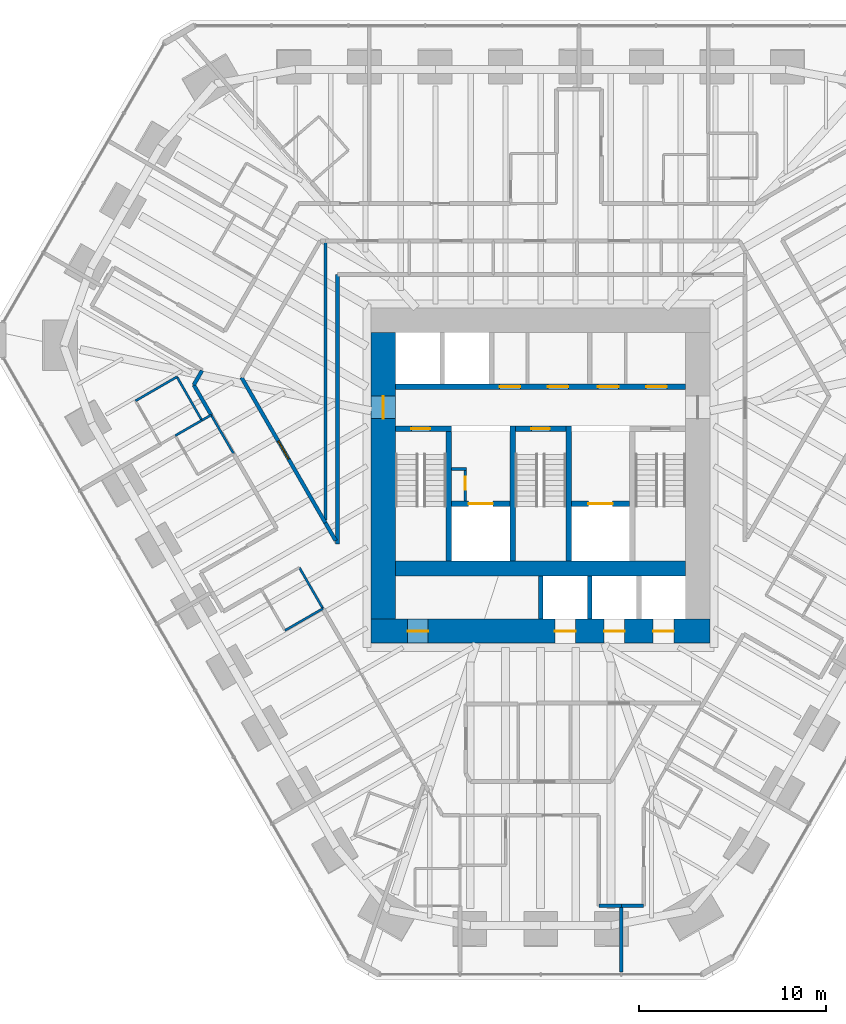
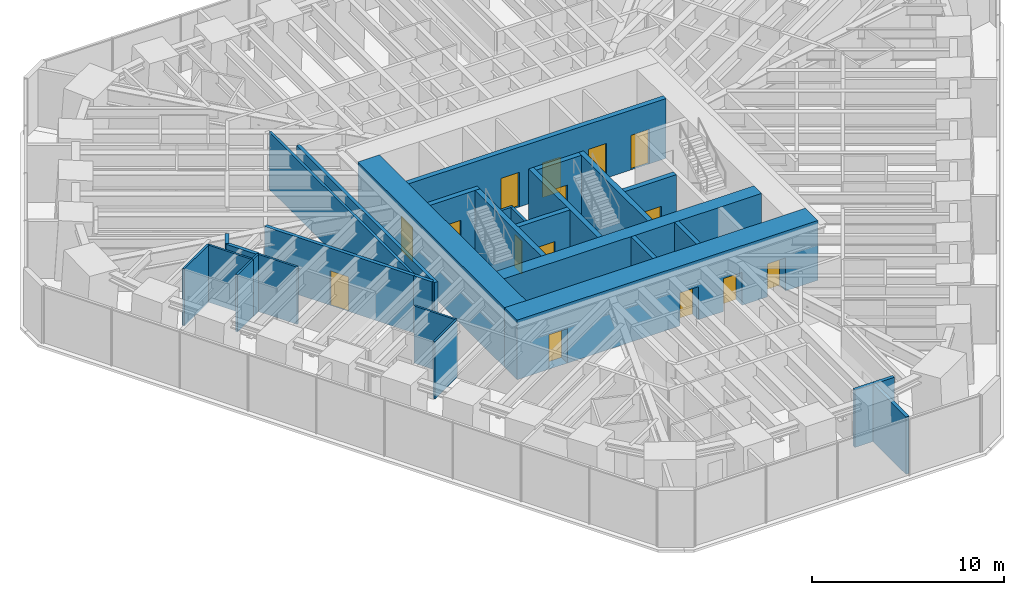
# One storey, part 12 of 17: 31 walls, 15 doors, 15 openings.
"""IFC4 building model written with IfcOpenShell, lengths in metres."""

from ifc_helpers import new_model, si_unit, direction, frame, frame_2d, origin, place, context, subcontext, project, spatial, rectangle, extrude, material, layer, layer_set, type_object, element, fill, save


model = new_model("IFC4")

# Units and contexts
model_context = context("Model", 3, precision=1e-05, world=origin(), true_north=direction((0.0, 1.0)))
body_context = subcontext(model_context, "Body", "Model", "MODEL_VIEW")
ifc_project = project(units=[si_unit("LENGTHUNIT", "METRE"), si_unit("AREAUNIT", "SQUARE_METRE"), si_unit("VOLUMEUNIT", "CUBIC_METRE"), si_unit("PLANEANGLEUNIT", "RADIAN"), si_unit("MASSUNIT", "GRAM", prefix="KILO")], contexts=[model_context])

# Site, building, storey
site_placement = place(None, origin())
site = spatial("IfcSite", under=ifc_project, at=site_placement, CompositionType="ELEMENT")
building_placement = place(site_placement, origin())
building = spatial("IfcBuilding", under=site, at=building_placement, Name="Sandreach Pilgrim Tower", CompositionType="ELEMENT")
storey_placement = place(building_placement, frame((0.0, 0.0, 169.0)))
storey = spatial("IfcBuildingStorey", under=building, at=storey_placement, Name="L42", CompositionType="ELEMENT", Elevation=169.0)

# Walls
ifc_material_1 = material(Name="Gypsum board on steel studs", Category="steel")
ifc_layer_1 = layer(ifc_material_1, 0.14990234375)
ifc_layer_set_1 = layer_set([ifc_layer_1], Name="Back of house wall 150")
wall_type_1 = type_object("IfcWallType", Name="Back of house wall 150", PredefinedType="PARTITIONING", material=ifc_layer_set_1)
wall_1_placement = place(storey_placement, frame((-11.5, 10.989990234375, 0.0), z_axis=(0.0, 0.0, 1.0), x_axis=(0.0, -1.0, 0.0)))
element("IfcWall", 1, at=wall_1_placement, inside=storey, type_object=wall_type_1, Name="Back of house wall L42-050", PredefinedType="PARTITIONING", context=body_context, shape_type="SweptSolid", body=[
    extrude(rectangle(XDim=14.905029296875, YDim=0.14990234375, at=frame_2d((7.45263671875, 0.0))), origin(), (0.0, 0.0, 1.0), 3.639892578125),
])
ifc_material_2 = material(Name="Moisture-resistant gypsum board on steel studs", Category="steel")
ifc_layer_2 = layer(ifc_material_2, 0.1201171875)
ifc_layer_set_2 = layer_set([ifc_layer_2], Name="Bathroom partition 120")
wall_type_2 = type_object("IfcWallType", Name="Bathroom partition 120", PredefinedType="PARTITIONING", material=ifc_layer_set_2)
wall_2_placement = place(storey_placement, frame((-19.52001953125, 0.590087890625, 0.0), z_axis=(0.0, 0.0, 1.0), x_axis=(0.86741733639, 0.49758131449, 0.0)))
element("IfcWall", 2, at=wall_2_placement, inside=storey, type_object=wall_type_2, Name="Bathroom partition L42-011", PredefinedType="PARTITIONING", context=body_context, shape_type="SweptSolid", body=[
    extrude(rectangle(XDim=1.6396484375, YDim=0.1201171875, at=frame_2d((0.81982421875, 0.0))), origin(), (0.0, 0.0, 1.0), 3.639892578125),
])
wall_3_placement = place(storey_placement, frame((-19.429931640625, 3.72998046875, 0.0), z_axis=(0.0, 0.0, 1.0), x_axis=(-0.865328095335, -0.50120583339, 0.0)))
element("IfcWall", 3, at=wall_3_placement, inside=storey, type_object=wall_type_2, Name="Bathroom partition L42-012", PredefinedType="PARTITIONING", context=body_context, shape_type="SweptSolid", body=[
    extrude(rectangle(XDim=2.553955078125, YDim=0.1201171875, at=frame_2d((1.27685546875, 0.0))), origin(), (0.0, 0.0, 1.0), 3.639892578125),
])
wall_4_placement = place(storey_placement, frame((-18.10009765625, 1.409912109375, 0.0), z_axis=(0.0, 0.0, 1.0), x_axis=(-0.497288831399, 0.867585049529, 0.0)))
element("IfcWall", 4, at=wall_4_placement, inside=storey, type_object=wall_type_2, Name="Bathroom partition L42-017", PredefinedType="PARTITIONING", context=body_context, shape_type="SweptSolid", body=[
    extrude(rectangle(XDim=2.674072265625, YDim=0.1201171875, at=frame_2d((1.3369140625, 0.0))), origin(), (0.0, 0.0, 1.0), 3.639892578125),
])
wall_5_placement = place(storey_placement, frame((-18.09765625, 1.406005859375, 0.0), z_axis=(0.0, 0.0, 1.0), x_axis=(0.86863611018, 0.495450611152, 0.0)))
element("IfcWall", 5, at=wall_5_placement, inside=storey, type_object=wall_type_2, Name="Bathroom partition L42-018", PredefinedType="PARTITIONING", context=body_context, shape_type="SweptSolid", body=[
    extrude(rectangle(XDim=0.572998046875, YDim=0.1201171875, at=frame_2d((0.28662109375, 0.0))), origin(), (0.0, 0.0, 1.0), 3.639892578125),
])
wall_6_placement = place(storey_placement, frame((-17.60009765625, 1.68994140625, 0.0), z_axis=(0.0, 0.0, 1.0), x_axis=(0.501623408317, -0.865086097581, 0.0)))
element("IfcWall", 6, at=wall_6_placement, inside=storey, type_object=wall_type_2, Name="Bathroom partition L42-020", PredefinedType="PARTITIONING", context=body_context, shape_type="SweptSolid", body=[
    extrude(rectangle(XDim=2.392578125, YDim=0.1201171875, at=frame_2d((1.1962890625, 0.0))), origin(), (0.0, 0.0, 1.0), 3.639892578125),
])
wall_7_placement = place(storey_placement, frame((-13.659912109375, -9.820068359375, 0.0), z_axis=(0.0, 0.0, 1.0), x_axis=(0.866345142729, 0.499445786517, 0.0)))
element("IfcWall", 7, at=wall_7_placement, inside=storey, type_object=wall_type_2, Name="Bathroom partition L42-041", PredefinedType="PARTITIONING", context=body_context, shape_type="SweptSolid", body=[
    extrude(rectangle(XDim=2.343017578125, YDim=0.1201171875, at=frame_2d((1.17138671875, 0.0))), origin(), (0.0, 0.0, 1.0), 3.639892578125),
])
wall_8_placement = place(storey_placement, frame((-12.889892578125, -6.4599609375, 0.0), z_axis=(0.0, 0.0, 1.0), x_axis=(0.498707120669, -0.866770562372, 0.0)))
element("IfcWall", 8, at=wall_8_placement, inside=storey, type_object=wall_type_2, Name="Bathroom partition L42-043", PredefinedType="PARTITIONING", context=body_context, shape_type="SweptSolid", body=[
    extrude(rectangle(XDim=2.526611328125, YDim=0.1201171875, at=frame_2d((1.26318359375, 0.0))), origin(), (0.0, 0.0, 1.0), 3.639892578125),
])
ifc_material_3 = material(Name="Concrete 10000 psi", Category="concrete")
ifc_layer_3 = layer(ifc_material_3, 0.300048828125)
ifc_layer_set_3 = layer_set([ifc_layer_3], Name="Core inner wall 300")
wall_type_3 = type_object("IfcWallType", Name="Core inner wall 300", PredefinedType="SHEAR", material=ifc_layer_set_3)
for number, where, z_axis, x_axis, name in (
    (9, (-4.89990234375, -6.10009765625, 0.0), (0.0, 0.0, 1.0), (0.0, 1.0, 0.0), "Core wall I0 L42"),
    (10, (-1.5, -6.10009765625, 0.0), (0.0, 0.0, 1.0), (0.0, 1.0, 0.0), "Core wall I1 L42"),
    (11, (1.5, -6.10009765625, 0.0), (0.0, 0.0, 1.0), (0.0, 1.0, 0.0), "Core wall I2 L42"),
):
    element("IfcWall", number, at=place(storey_placement, frame(where, z_axis=z_axis, x_axis=x_axis)), inside=storey, type_object=wall_type_3, Name=name, PredefinedType="SHEAR", context=body_context, shape_type="SweptSolid", body=[
        extrude(rectangle(XDim=7.2001953125, YDim=0.300048828125, at=frame_2d((3.60009765625, 0.0))), origin(), (0.0, 0.0, 1.0), 3.800048828125),
    ])

# Wall, opening, door
wall_9_placement = place(storey_placement, frame((-7.75, 0.949951171875, 0.0), z_axis=(0.0, 0.0, 1.0), x_axis=(1.0, 0.0, 0.0)))
wall_9 = element("IfcWall", 12, at=wall_9_placement, inside=storey, type_object=wall_type_3, Name="Core wall SN1 L42", PredefinedType="SHEAR", context=body_context, shape_type="SweptSolid", body=[
    extrude(rectangle(XDim=3.0, YDim=0.300048828125, at=frame_2d((1.5, 0.0))), origin(), (0.0, 0.0, 1.0), 3.800048828125),
])
opening_1_placement = place(wall_9_placement, frame((0.85009765625, 0.0, 0.0)))
opening_1 = element("IfcOpeningElement", 13, at=opening_1_placement, cuts=wall_9, Name="Opening D10S-ST1", PredefinedType="OPENING", context=body_context, shape_type="SweptSolid", body=[
    extrude(rectangle(XDim=1.0, YDim=2.199951171875, at=frame_2d((0.5, 1.10009765625))), frame((0.0, 0.14990234375, 0.0), z_axis=(0.0, -1.0, 0.0), x_axis=(1.0, 0.0, 0.0)), (0.0, 0.0, 1.0), 0.300048828125),
])
ifc_material_4 = material(Name="Steel door and frame", Category="steel")
door_type_1 = type_object("IfcDoorType", Name="Stair door", OperationType="SINGLE_SWING_LEFT", PredefinedType="DOOR", material=ifc_material_4)
door_1_placement = place(opening_1_placement, origin())
door_1 = element("IfcDoor", 14, at=door_1_placement, inside=storey, type_object=door_type_1, Name="Stair door ST1 L42", OperationType="SINGLE_SWING_LEFT", OverallHeight=2.199951171875, OverallWidth=1.0, PredefinedType="DOOR", context=body_context, shape_type="SweptSolid", body=[
    extrude(rectangle(XDim=1.0, YDim=2.199951171875, at=frame_2d((0.5, 1.10009765625))), frame((0.0, 0.02490234375, 0.0), z_axis=(0.0, -1.0, 0.0), x_axis=(1.0, 0.0, 0.0)), (0.0, 0.0, 1.0), 0.050048828125),
])
fill(opening_1, door_1)

wall_10_placement = place(storey_placement, frame((-1.35009765625, 0.949951171875, 0.0), z_axis=(0.0, 0.0, 1.0), x_axis=(1.0, 0.0, 0.0)))
wall_10 = element("IfcWall", 15, at=wall_10_placement, inside=storey, type_object=wall_type_3, Name="Core wall SN3 L42", PredefinedType="SHEAR", context=body_context, shape_type="SweptSolid", body=[
    extrude(rectangle(XDim=2.7001953125, YDim=0.300048828125, at=frame_2d((1.35009765625, 0.0))), origin(), (0.0, 0.0, 1.0), 3.800048828125),
])
opening_2_placement = place(wall_10_placement, frame((0.85009765625, 0.0, 0.0)))
opening_2 = element("IfcOpeningElement", 16, at=opening_2_placement, cuts=wall_10, Name="Opening D10S-ST3", PredefinedType="OPENING", context=body_context, shape_type="SweptSolid", body=[
    extrude(rectangle(XDim=1.0, YDim=2.199951171875, at=frame_2d((0.5, 1.10009765625))), frame((0.0, 0.14990234375, 0.0), z_axis=(0.0, -1.0, 0.0), x_axis=(1.0, 0.0, 0.0)), (0.0, 0.0, 1.0), 0.300048828125),
])
door_2_placement = place(opening_2_placement, origin())
door_2 = element("IfcDoor", 17, at=door_2_placement, inside=storey, type_object=door_type_1, Name="Stair door ST3 L42", OperationType="SINGLE_SWING_LEFT", OverallHeight=2.199951171875, OverallWidth=1.0, PredefinedType="DOOR", context=body_context, shape_type="SweptSolid", body=[
    extrude(rectangle(XDim=1.0, YDim=2.199951171875, at=frame_2d((0.5, 1.10009765625))), frame((0.0, 0.02490234375, 0.0), z_axis=(0.0, -1.0, 0.0), x_axis=(1.0, 0.0, 0.0)), (0.0, 0.0, 1.0), 0.050048828125),
])
fill(opening_2, door_2)

wall_11_placement = place(storey_placement, frame((-4.75, -3.050048828125, 0.0), z_axis=(0.0, 0.0, 1.0), x_axis=(1.0, 0.0, 0.0)))
wall_11 = element("IfcWall", 18, at=wall_11_placement, inside=storey, type_object=wall_type_3, Name="Core wall FL1 L42", PredefinedType="SHEAR", context=body_context, shape_type="SweptSolid", body=[
    extrude(rectangle(XDim=3.10009765625, YDim=0.300048828125, at=frame_2d((1.550048828125, 0.0))), origin(), (0.0, 0.0, 1.0), 3.800048828125),
])
opening_3_placement = place(wall_11_placement, frame((0.89990234375, 0.0, 0.0)))
opening_3 = element("IfcOpeningElement", 19, at=opening_3_placement, cuts=wall_11, Name="Opening LD13", PredefinedType="OPENING", context=body_context, shape_type="SweptSolid", body=[
    extrude(rectangle(XDim=1.300048828125, YDim=2.10009765625, at=frame_2d((0.64990234375, 1.050048828125))), frame((0.0, 0.14990234375, 0.0), z_axis=(0.0, -1.0, 0.0), x_axis=(1.0, 0.0, 0.0)), (0.0, 0.0, 1.0), 0.300048828125),
])
ifc_material_5 = material(Name="Steel door and frame", Category="steel")
door_type_2 = type_object("IfcDoorType", Name="Fire service lift landing door", OperationType="DOUBLE_DOOR_SLIDING", PredefinedType="DOOR", material=ifc_material_5)
door_3_placement = place(opening_3_placement, origin())
door_3 = element("IfcDoor", 20, at=door_3_placement, inside=storey, type_object=door_type_2, Name="Lift landing door FS1 L42", OperationType="DOUBLE_DOOR_SLIDING", OverallHeight=2.10009765625, OverallWidth=1.300048828125, PredefinedType="DOOR", context=body_context, shape_type="SweptSolid", body=[
    extrude(rectangle(XDim=1.300048828125, YDim=2.10009765625, at=frame_2d((0.64990234375, 1.050048828125))), frame((0.0, 0.02490234375, 0.0), z_axis=(0.0, -1.0, 0.0), x_axis=(1.0, 0.0, 0.0)), (0.0, 0.0, 1.0), 0.050048828125),
])
fill(opening_3, door_3)

wall_12_placement = place(storey_placement, frame((1.64990234375, -3.050048828125, 0.0), z_axis=(0.0, 0.0, 1.0), x_axis=(1.0, 0.0, 0.0)))
wall_12 = element("IfcWall", 21, at=wall_12_placement, inside=storey, type_object=wall_type_3, Name="Core wall FL2 L42", PredefinedType="SHEAR", context=body_context, shape_type="SweptSolid", body=[
    extrude(rectangle(XDim=3.10009765625, YDim=0.300048828125, at=frame_2d((1.550048828125, 0.0))), origin(), (0.0, 0.0, 1.0), 3.800048828125),
])
opening_4_placement = place(wall_12_placement, frame((0.89990234375, 0.0, 0.0)))
opening_4 = element("IfcOpeningElement", 22, at=opening_4_placement, cuts=wall_12, Name="Opening LD13", PredefinedType="OPENING", context=body_context, shape_type="SweptSolid", body=[
    extrude(rectangle(XDim=1.300048828125, YDim=2.10009765625, at=frame_2d((0.64990234375, 1.050048828125))), frame((0.0, 0.14990234375, 0.0), z_axis=(0.0, -1.0, 0.0), x_axis=(1.0, 0.0, 0.0)), (0.0, 0.0, 1.0), 0.300048828125),
])
door_4_placement = place(opening_4_placement, origin())
door_4 = element("IfcDoor", 23, at=door_4_placement, inside=storey, type_object=door_type_2, Name="Lift landing door FS2 L42", OperationType="DOUBLE_DOOR_SLIDING", OverallHeight=2.10009765625, OverallWidth=1.300048828125, PredefinedType="DOOR", context=body_context, shape_type="SweptSolid", body=[
    extrude(rectangle(XDim=1.300048828125, YDim=2.10009765625, at=frame_2d((0.64990234375, 1.050048828125))), frame((0.0, 0.02490234375, 0.0), z_axis=(0.0, -1.0, 0.0), x_axis=(1.0, 0.0, 0.0)), (0.0, 0.0, 1.0), 0.050048828125),
])
fill(opening_4, door_4)

# Wall, openings, doors
wall_13_placement = place(storey_placement, frame((-7.75, 3.199951171875, 0.0), z_axis=(0.0, 0.0, 1.0), x_axis=(1.0, 0.0, 0.0)))
wall_13 = element("IfcWall", 24, at=wall_13_placement, inside=storey, type_object=wall_type_3, Name="Core wall PN L42", PredefinedType="SHEAR", context=body_context, shape_type="SweptSolid", body=[
    extrude(rectangle(XDim=15.5, YDim=0.300048828125, at=frame_2d((7.75, 0.0))), origin(), (0.0, 0.0, 1.0), 3.800048828125),
])
opening_5_placement = place(wall_13_placement, frame((5.5625, 0.0, 0.0)))
opening_5 = element("IfcOpeningElement", 25, at=opening_5_placement, cuts=wall_13, Name="Opening D11L", PredefinedType="OPENING", context=body_context, shape_type="SweptSolid", body=[
    extrude(rectangle(XDim=1.10009765625, YDim=2.199951171875, at=frame_2d((0.550048828125, 1.10009765625))), frame((0.0, 0.14990234375, 0.0), z_axis=(0.0, -1.0, 0.0), x_axis=(1.0, 0.0, 0.0)), (0.0, 0.0, 1.0), 0.300048828125),
])
opening_6_placement = place(wall_13_placement, frame((8.137451171875, 0.0, 0.0)))
opening_6 = element("IfcOpeningElement", 26, at=opening_6_placement, cuts=wall_13, Name="Opening D11L", PredefinedType="OPENING", context=body_context, shape_type="SweptSolid", body=[
    extrude(rectangle(XDim=1.10009765625, YDim=2.199951171875, at=frame_2d((0.550048828125, 1.10009765625))), frame((0.0, 0.14990234375, 0.0), z_axis=(0.0, -1.0, 0.0), x_axis=(1.0, 0.0, 0.0)), (0.0, 0.0, 1.0), 0.300048828125),
])
opening_7_placement = place(wall_13_placement, frame((10.8125, 0.0, 0.0)))
opening_7 = element("IfcOpeningElement", 27, at=opening_7_placement, cuts=wall_13, Name="Opening D11L", PredefinedType="OPENING", context=body_context, shape_type="SweptSolid", body=[
    extrude(rectangle(XDim=1.10009765625, YDim=2.199951171875, at=frame_2d((0.550048828125, 1.10009765625))), frame((0.0, 0.14990234375, 0.0), z_axis=(0.0, -1.0, 0.0), x_axis=(1.0, 0.0, 0.0)), (0.0, 0.0, 1.0), 0.300048828125),
])
opening_8_placement = place(wall_13_placement, frame((13.387451171875, 0.0, 0.0)))
opening_8 = element("IfcOpeningElement", 28, at=opening_8_placement, cuts=wall_13, Name="Opening D11L", PredefinedType="OPENING", context=body_context, shape_type="SweptSolid", body=[
    extrude(rectangle(XDim=1.10009765625, YDim=2.199951171875, at=frame_2d((0.550048828125, 1.10009765625))), frame((0.0, 0.14990234375, 0.0), z_axis=(0.0, -1.0, 0.0), x_axis=(1.0, 0.0, 0.0)), (0.0, 0.0, 1.0), 0.300048828125),
])
ifc_material_6 = material(Name="Steel door and frame, smoke seals", Category="steel")
door_type_3 = type_object("IfcDoorType", Name="Core room door", OperationType="SINGLE_SWING_LEFT", PredefinedType="DOOR", material=ifc_material_6)
door_5_placement = place(opening_5_placement, origin())
door_5 = element("IfcDoor", 29, at=door_5_placement, inside=storey, type_object=door_type_3, Name="Door guest pantry 42K1", OperationType="SINGLE_SWING_LEFT", OverallHeight=2.199951171875, OverallWidth=1.10009765625, PredefinedType="DOOR", context=body_context, shape_type="SweptSolid", body=[
    extrude(rectangle(XDim=1.10009765625, YDim=2.199951171875, at=frame_2d((0.550048828125, 1.10009765625))), frame((0.0, 0.02490234375, 0.0), z_axis=(0.0, -1.0, 0.0), x_axis=(1.0, 0.0, 0.0)), (0.0, 0.0, 1.0), 0.050048828125),
])
fill(opening_5, door_5)
door_6_placement = place(opening_6_placement, origin())
door_6 = element("IfcDoor", 30, at=door_6_placement, inside=storey, type_object=door_type_3, Name="Door vending and ice room 42K2", OperationType="SINGLE_SWING_RIGHT", OverallHeight=2.199951171875, OverallWidth=1.10009765625, PredefinedType="DOOR", context=body_context, shape_type="SweptSolid", body=[
    extrude(rectangle(XDim=1.10009765625, YDim=2.199951171875, at=frame_2d((0.550048828125, 1.10009765625))), frame((0.0, 0.02490234375, 0.0), z_axis=(0.0, -1.0, 0.0), x_axis=(1.0, 0.0, 0.0)), (0.0, 0.0, 1.0), 0.050048828125),
])
fill(opening_6, door_6)
door_7_placement = place(opening_7_placement, origin())
door_7 = element("IfcDoor", 31, at=door_7_placement, inside=storey, type_object=door_type_3, Name="Door it room 42K3", OperationType="SINGLE_SWING_RIGHT", OverallHeight=2.199951171875, OverallWidth=1.10009765625, PredefinedType="DOOR", context=body_context, shape_type="SweptSolid", body=[
    extrude(rectangle(XDim=1.10009765625, YDim=2.199951171875, at=frame_2d((0.550048828125, 1.10009765625))), frame((0.0, 0.02490234375, 0.0), z_axis=(0.0, -1.0, 0.0), x_axis=(1.0, 0.0, 0.0)), (0.0, 0.0, 1.0), 0.050048828125),
])
fill(opening_7, door_7)
door_8_placement = place(opening_8_placement, origin())
door_8 = element("IfcDoor", 32, at=door_8_placement, inside=storey, type_object=door_type_3, Name="Door refuse room 42K4", OperationType="SINGLE_SWING_RIGHT", OverallHeight=2.199951171875, OverallWidth=1.10009765625, PredefinedType="DOOR", context=body_context, shape_type="SweptSolid", body=[
    extrude(rectangle(XDim=1.10009765625, YDim=2.199951171875, at=frame_2d((0.550048828125, 1.10009765625))), frame((0.0, 0.02490234375, 0.0), z_axis=(0.0, -1.0, 0.0), x_axis=(1.0, 0.0, 0.0)), (0.0, 0.0, 1.0), 0.050048828125),
])
fill(opening_8, door_8)

# Wall
ifc_material_7 = material(Name="Concrete 10000 psi", Category="concrete")
ifc_layer_4 = layer(ifc_material_7, 0.800048828125)
ifc_layer_set_4 = layer_set([ifc_layer_4], Name="Core mid wall 800")
wall_type_4 = type_object("IfcWallType", Name="Core mid wall 800", PredefinedType="SHEAR", material=ifc_layer_set_4)
wall_14_placement = place(storey_placement, frame((-7.75, -6.5, 0.0), z_axis=(0.0, 0.0, 1.0), x_axis=(1.0, 0.0, 0.0)))
element("IfcWall", 33, at=wall_14_placement, inside=storey, type_object=wall_type_4, Name="Core wall M L42", PredefinedType="SHEAR", context=body_context, shape_type="SweptSolid", body=[
    extrude(rectangle(XDim=15.5, YDim=0.800048828125, at=frame_2d((7.75, 0.0))), origin(), (0.0, 0.0, 1.0), 3.800048828125),
])

# Wall, openings, doors
ifc_material_8 = material(Name="Concrete 10000 psi", Category="concrete")
ifc_layer_5 = layer(ifc_material_8, 1.300048828125)
ifc_layer_set_5 = layer_set([ifc_layer_5], Name="Core wall 1300")
wall_type_5 = type_object("IfcWallType", Name="Core wall 1300", PredefinedType="SHEAR", material=ifc_layer_set_5)
wall_15_placement = place(storey_placement, frame((-9.050048828125, -9.85009765625, 0.0), z_axis=(0.0, 0.0, 1.0), x_axis=(1.0, 0.0, 0.0)))
wall_15 = element("IfcWall", 34, at=wall_15_placement, inside=storey, type_object=wall_type_5, Name="Core wall S L42", PredefinedType="SHEAR", context=body_context, shape_type="SweptSolid", body=[
    extrude(rectangle(XDim=18.10009765625, YDim=1.300048828125, at=frame_2d((9.050048828125, 0.0))), origin(), (0.0, 0.0, 1.0), 3.800048828125),
])
opening_9_placement = place(wall_15_placement, frame((1.9375, 0.0, 0.0)))
opening_9 = element("IfcOpeningElement", 35, at=opening_9_placement, cuts=wall_15, Name="Opening D11H", PredefinedType="OPENING", context=body_context, shape_type="SweptSolid", body=[
    extrude(rectangle(XDim=1.10009765625, YDim=2.199951171875, at=frame_2d((0.550048828125, 1.10009765625))), frame((0.0, 0.64990234375, 0.0), z_axis=(0.0, -1.0, 0.0), x_axis=(1.0, 0.0, 0.0)), (0.0, 0.0, 1.0), 1.300048828125),
])
opening_10_placement = place(wall_15_placement, frame((9.8125, 0.0, 0.0)))
opening_10 = element("IfcOpeningElement", 36, at=opening_10_placement, cuts=wall_15, Name="Opening LD11", PredefinedType="OPENING", context=body_context, shape_type="SweptSolid", body=[
    extrude(rectangle(XDim=1.10009765625, YDim=2.10009765625, at=frame_2d((0.550048828125, 1.050048828125))), frame((0.0, 0.64990234375, 0.0), z_axis=(0.0, -1.0, 0.0), x_axis=(1.0, 0.0, 0.0)), (0.0, 0.0, 1.0), 1.300048828125),
])
opening_11_placement = place(wall_15_placement, frame((12.4375, 0.0, 0.0)))
opening_11 = element("IfcOpeningElement", 37, at=opening_11_placement, cuts=wall_15, Name="Opening LD11", PredefinedType="OPENING", context=body_context, shape_type="SweptSolid", body=[
    extrude(rectangle(XDim=1.10009765625, YDim=2.10009765625, at=frame_2d((0.550048828125, 1.050048828125))), frame((0.0, 0.64990234375, 0.0), z_axis=(0.0, -1.0, 0.0), x_axis=(1.0, 0.0, 0.0)), (0.0, 0.0, 1.0), 1.300048828125),
])
opening_12_placement = place(wall_15_placement, frame((15.0625, 0.0, 0.0)))
opening_12 = element("IfcOpeningElement", 38, at=opening_12_placement, cuts=wall_15, Name="Opening LD11", PredefinedType="OPENING", context=body_context, shape_type="SweptSolid", body=[
    extrude(rectangle(XDim=1.10009765625, YDim=2.10009765625, at=frame_2d((0.550048828125, 1.050048828125))), frame((0.0, 0.64990234375, 0.0), z_axis=(0.0, -1.0, 0.0), x_axis=(1.0, 0.0, 0.0)), (0.0, 0.0, 1.0), 1.300048828125),
])
ifc_material_9 = material(Name="Steel door and frame", Category="steel")
door_type_4 = type_object("IfcDoorType", Name="Back of house door", OperationType="SINGLE_SWING_LEFT", PredefinedType="DOOR", material=ifc_material_9)
door_9_placement = place(opening_9_placement, origin())
door_9 = element("IfcDoor", 39, at=door_9_placement, inside=storey, type_object=door_type_4, Name="Door staff room 42K5", OperationType="SINGLE_SWING_LEFT", OverallHeight=2.199951171875, OverallWidth=1.10009765625, PredefinedType="DOOR", context=body_context, shape_type="SweptSolid", body=[
    extrude(rectangle(XDim=1.10009765625, YDim=2.199951171875, at=frame_2d((0.550048828125, 1.10009765625))), frame((0.0, 0.02490234375, 0.0), z_axis=(0.0, -1.0, 0.0), x_axis=(1.0, 0.0, 0.0)), (0.0, 0.0, 1.0), 0.050048828125),
])
fill(opening_9, door_9)
ifc_material_10 = material(Name="Steel door and frame", Category="steel")
door_type_5 = type_object("IfcDoorType", Name="Lift landing door", OperationType="DOUBLE_DOOR_SLIDING", PredefinedType="DOOR", material=ifc_material_10)
door_10_placement = place(opening_10_placement, origin())
door_10 = element("IfcDoor", 40, at=door_10_placement, inside=storey, type_object=door_type_5, Name="Lift landing door Z2A L42", OperationType="DOUBLE_DOOR_SLIDING", OverallHeight=2.10009765625, OverallWidth=1.10009765625, PredefinedType="DOOR", context=body_context, shape_type="SweptSolid", body=[
    extrude(rectangle(XDim=1.10009765625, YDim=2.10009765625, at=frame_2d((0.550048828125, 1.050048828125))), frame((0.0, 0.02490234375, 0.0), z_axis=(0.0, -1.0, 0.0), x_axis=(1.0, 0.0, 0.0)), (0.0, 0.0, 1.0), 0.050048828125),
])
fill(opening_10, door_10)
door_11_placement = place(opening_11_placement, origin())
door_11 = element("IfcDoor", 41, at=door_11_placement, inside=storey, type_object=door_type_5, Name="Lift landing door Z2B L42", OperationType="DOUBLE_DOOR_SLIDING", OverallHeight=2.10009765625, OverallWidth=1.10009765625, PredefinedType="DOOR", context=body_context, shape_type="SweptSolid", body=[
    extrude(rectangle(XDim=1.10009765625, YDim=2.10009765625, at=frame_2d((0.550048828125, 1.050048828125))), frame((0.0, 0.02490234375, 0.0), z_axis=(0.0, -1.0, 0.0), x_axis=(1.0, 0.0, 0.0)), (0.0, 0.0, 1.0), 0.050048828125),
])
fill(opening_11, door_11)
door_12_placement = place(opening_12_placement, origin())
door_12 = element("IfcDoor", 42, at=door_12_placement, inside=storey, type_object=door_type_5, Name="Lift landing door Z2C L42", OperationType="DOUBLE_DOOR_SLIDING", OverallHeight=2.10009765625, OverallWidth=1.10009765625, PredefinedType="DOOR", context=body_context, shape_type="SweptSolid", body=[
    extrude(rectangle(XDim=1.10009765625, YDim=2.10009765625, at=frame_2d((0.550048828125, 1.050048828125))), frame((0.0, 0.02490234375, 0.0), z_axis=(0.0, -1.0, 0.0), x_axis=(1.0, 0.0, 0.0)), (0.0, 0.0, 1.0), 0.050048828125),
])
fill(opening_12, door_12)

# Wall, opening, door
wall_16_placement = place(storey_placement, frame((-8.39990234375, -9.199951171875, 0.0), z_axis=(0.0, 0.0, 1.0), x_axis=(0.0, 1.0, 0.0)))
wall_16 = element("IfcWall", 43, at=wall_16_placement, inside=storey, type_object=wall_type_5, Name="Core wall W L42", PredefinedType="SHEAR", context=body_context, shape_type="SweptSolid", body=[
    extrude(rectangle(XDim=15.300048828125, YDim=1.300048828125, at=frame_2d((7.64990234375, 0.0))), origin(), (0.0, 0.0, 1.0), 3.800048828125),
])
opening_13_placement = place(wall_16_placement, frame((10.699951171875, 0.0, 0.0)))
opening_13 = element("IfcOpeningElement", 44, at=opening_13_placement, cuts=wall_16, Name="Opening D12F-W", PredefinedType="OPENING", context=body_context, shape_type="SweptSolid", body=[
    extrude(rectangle(XDim=1.199951171875, YDim=2.199951171875, at=frame_2d((0.60009765625, 1.10009765625))), frame((0.0, 0.64990234375, 0.0), z_axis=(0.0, -1.0, 0.0), x_axis=(1.0, 0.0, 0.0)), (0.0, 0.0, 1.0), 1.300048828125),
])
ifc_material_11 = material(Name="Steel door and frame", Category="steel")
door_type_6 = type_object("IfcDoorType", Name="Fire lobby door", OperationType="SINGLE_SWING_LEFT", PredefinedType="DOOR", material=ifc_material_11)
door_13_placement = place(opening_13_placement, origin())
door_13 = element("IfcDoor", 45, at=door_13_placement, inside=storey, type_object=door_type_6, Name="Fire service lobby door W L42", OperationType="SINGLE_SWING_RIGHT", OverallHeight=2.199951171875, OverallWidth=1.199951171875, PredefinedType="DOOR", context=body_context, shape_type="SweptSolid", body=[
    extrude(rectangle(XDim=1.199951171875, YDim=2.199951171875, at=frame_2d((0.60009765625, 1.10009765625))), frame((0.0, 0.02490234375, 0.0), z_axis=(0.0, -1.0, 0.0), x_axis=(1.0, 0.0, 0.0)), (0.0, 0.0, 1.0), 0.050048828125),
])
fill(opening_13, door_13)

# Walls
ifc_material_12 = material(Name="Gypsum board on steel studs, two layers each side", Category="steel")
ifc_layer_6 = layer(ifc_material_12, 0.199951171875)
ifc_layer_set_6 = layer_set([ifc_layer_6], Name="Corridor wall 200")
wall_type_6 = type_object("IfcWallType", Name="Corridor wall 200", PredefinedType="PARTITIONING", material=ifc_layer_set_6)
wall_17_placement = place(storey_placement, frame((-18.530029296875, 3.300048828125, 0.0), z_axis=(0.0, 0.0, 1.0), x_axis=(0.50013539823, -0.865947217466, 0.0)))
element("IfcWall", 46, at=wall_17_placement, inside=storey, type_object=wall_type_6, Name="Corridor wall L42-014", PredefinedType="PARTITIONING", context=body_context, shape_type="SweptSolid", body=[
    extrude(rectangle(XDim=1.859375, YDim=0.199951171875, at=frame_2d((0.9296875, 0.0))), origin(), (0.0, 0.0, 1.0), 3.639892578125),
])
wall_18_placement = place(storey_placement, frame((-18.08740234375, 4.06689453125, 0.0), z_axis=(0.0, 0.0, 1.0), x_axis=(-0.499905448813, -0.866079986056, 0.0)))
element("IfcWall", 47, at=wall_18_placement, inside=storey, type_object=wall_type_6, Name="Corridor wall L42-019", PredefinedType="PARTITIONING", context=body_context, shape_type="SweptSolid", body=[
    extrude(rectangle(XDim=0.885498046875, YDim=0.199951171875, at=frame_2d((0.44287109375, 0.0))), origin(), (0.0, 0.0, 1.0), 3.639892578125),
])

# Wall, opening, door
wall_19_placement = place(storey_placement, frame((-11.5, -4.070068359375, 0.0), z_axis=(0.0, 0.0, 1.0), x_axis=(-0.499494642712, 0.86631697542, 0.0)))
wall_19 = element("IfcWall", 48, at=wall_19_placement, inside=storey, type_object=wall_type_6, Name="Corridor wall L42-049", PredefinedType="PARTITIONING", context=body_context, shape_type="SweptSolid", body=[
    extrude(rectangle(XDim=8.968994140625, YDim=0.199951171875, at=frame_2d((4.484375, 0.0))), origin(), (0.0, 0.0, 1.0), 3.639892578125),
])
opening_14_placement = place(wall_19_placement, frame((3.9345703125, 0.0, 0.0)))
opening_14 = element("IfcOpeningElement", 49, at=opening_14_placement, cuts=wall_19, Name="Opening D11H-M01", PredefinedType="OPENING", context=body_context, shape_type="SweptSolid", body=[
    extrude(rectangle(XDim=1.10009765625, YDim=2.199951171875, at=frame_2d((0.550048828125, 1.10009765625))), frame((0.0, 0.10009765625, 0.0), z_axis=(0.0, -1.0, 0.0), x_axis=(1.0, 0.0, 0.0)), (0.0, 0.0, 1.0), 0.199951171875),
])
door_14_placement = place(opening_14_placement, origin())
door_14 = element("IfcDoor", 50, at=door_14_placement, inside=storey, type_object=door_type_4, Name="Door 42M01", OperationType="SINGLE_SWING_LEFT", OverallHeight=2.199951171875, OverallWidth=1.10009765625, PredefinedType="DOOR", context=body_context, shape_type="SweptSolid", body=[
    extrude(rectangle(XDim=1.10009765625, YDim=2.199951171875, at=frame_2d((0.550048828125, 1.10009765625))), frame((0.0, 0.02490234375, 0.0), z_axis=(0.0, -1.0, 0.0), x_axis=(1.0, 0.0, 0.0)), (0.0, 0.0, 1.0), 0.050048828125),
])
fill(opening_14, door_14)

# Walls
wall_20_placement = place(storey_placement, frame((-10.947998046875, -5.021240234375, 0.0), z_axis=(0.0, 0.0, 1.0), x_axis=(-0.501937347286, 0.864903982763, 0.0)))
element("IfcWall", 51, at=wall_20_placement, inside=storey, type_object=wall_type_6, Name="Corridor wall L42-053", PredefinedType="PARTITIONING", context=body_context, shape_type="SweptSolid", body=[
    extrude(rectangle(XDim=1.099853515625, YDim=0.199951171875, at=frame_2d((0.5498046875, 0.0))), origin(), (0.0, 0.0, 1.0), 3.639892578125),
])
wall_21_placement = place(storey_placement, frame((-10.85009765625, 9.199951171875, 0.0), z_axis=(0.0, 0.0, 1.0), x_axis=(0.0, -1.0, 0.0)))
element("IfcWall", 52, at=wall_21_placement, inside=storey, type_object=wall_type_6, Name="Corridor wall L42-054", PredefinedType="PARTITIONING", context=body_context, shape_type="SweptSolid", body=[
    extrude(rectangle(XDim=14.389892578125, YDim=0.199951171875, at=frame_2d((7.19482421875, 0.0))), origin(), (0.0, 0.0, 1.0), 3.639892578125),
])
wall_22_placement = place(storey_placement, frame((3.125, -24.530029296875, 0.0), z_axis=(0.0, 0.0, 1.0), x_axis=(1.0, 0.0, 0.0)))
element("IfcWall", 53, at=wall_22_placement, inside=storey, type_object=wall_type_6, Name="Corridor wall L42-104", PredefinedType="PARTITIONING", context=body_context, shape_type="SweptSolid", body=[
    extrude(rectangle(XDim=1.18505859375, YDim=0.199951171875, at=frame_2d((0.592529296875, 0.0))), origin(), (0.0, 0.0, 1.0), 3.639892578125),
])
wall_23_placement = place(storey_placement, frame((4.31005859375, -24.530029296875, 0.0), z_axis=(0.0, 0.0, 1.0), x_axis=(1.0, 0.0, 0.0)))
element("IfcWall", 54, at=wall_23_placement, inside=storey, type_object=wall_type_6, Name="Corridor wall L42-109", PredefinedType="PARTITIONING", context=body_context, shape_type="SweptSolid", body=[
    extrude(rectangle(XDim=1.18994140625, YDim=0.199951171875, at=frame_2d((0.594970703125, 0.0))), origin(), (0.0, 0.0, 1.0), 3.639892578125),
])
ifc_material_13 = material(Name="Double steel stud acoustic wall, gypsum board", Category="steel")
ifc_layer_7 = layer(ifc_material_13, 0.199951171875)
ifc_layer_set_7 = layer_set([ifc_layer_7], Name="Party wall 200")
wall_type_7 = type_object("IfcWallType", Name="Party wall 200", PredefinedType="PARTITIONING", material=ifc_layer_set_7)
wall_24_placement = place(storey_placement, frame((4.31005859375, -28.070068359375, 0.0), z_axis=(0.0, 0.0, 1.0), x_axis=(0.0, 1.0, 0.0)))
element("IfcWall", 55, at=wall_24_placement, inside=storey, type_object=wall_type_7, Name="Party wall L42-108", PredefinedType="PARTITIONING", context=body_context, shape_type="SweptSolid", body=[
    extrude(rectangle(XDim=3.525146484375, YDim=0.199951171875, at=frame_2d((1.7626953125, 0.0))), origin(), (0.0, 0.0, 1.0), 3.639892578125),
])

# Wall, opening, door
ifc_material_14 = material(Name="Gypsum shaft wall on steel studs, shaft liner board", Category="steel")
ifc_layer_8 = layer(ifc_material_14, 0.14990234375)
ifc_layer_set_8 = layer_set([ifc_layer_8], Name="Riser shaft wall 150")
wall_type_8 = type_object("IfcWallType", Name="Riser shaft wall 150", PredefinedType="PARTITIONING", material=ifc_layer_set_8)
wall_25_placement = place(storey_placement, frame((-4.02490234375, -2.89990234375, 0.0), z_axis=(0.0, 0.0, 1.0), x_axis=(0.0, 1.0, 0.0)))
wall_25 = element("IfcWall", 56, at=wall_25_placement, inside=storey, type_object=wall_type_8, Name="Riser partition L42 side", PredefinedType="PARTITIONING", context=body_context, shape_type="SweptSolid", body=[
    extrude(rectangle(XDim=1.77490234375, YDim=0.14990234375, at=frame_2d((0.887451171875, 0.0))), origin(), (0.0, 0.0, 1.0), 3.639892578125),
])
opening_15_placement = place(wall_25_placement, frame((0.60009765625, 0.0, 0.0)))
opening_15 = element("IfcOpeningElement", 57, at=opening_15_placement, cuts=wall_25, Name="Opening D07R", PredefinedType="OPENING", context=body_context, shape_type="SweptSolid", body=[
    extrude(rectangle(XDim=0.699951171875, YDim=2.10009765625, at=frame_2d((0.35009765625, 1.050048828125))), frame((0.0, 0.074951171875, 0.0), z_axis=(0.0, -1.0, 0.0), x_axis=(1.0, 0.0, 0.0)), (0.0, 0.0, 1.0), 0.14990234375),
])
ifc_material_15 = material(Name="Steel door and frame, smoke seals", Category="steel")
door_type_7 = type_object("IfcDoorType", Name="Riser access door", OperationType="SINGLE_SWING_RIGHT", PredefinedType="DOOR", material=ifc_material_15)
door_15_placement = place(opening_15_placement, origin())
door_15 = element("IfcDoor", 58, at=door_15_placement, inside=storey, type_object=door_type_7, Name="Door riser 42ER", OperationType="SINGLE_SWING_RIGHT", OverallHeight=2.10009765625, OverallWidth=0.699951171875, PredefinedType="DOOR", context=body_context, shape_type="SweptSolid", body=[
    extrude(rectangle(XDim=0.699951171875, YDim=2.10009765625, at=frame_2d((0.35009765625, 1.050048828125))), frame((0.0, 0.02490234375, 0.0), z_axis=(0.0, -1.0, 0.0), x_axis=(1.0, 0.0, 0.0)), (0.0, 0.0, 1.0), 0.050048828125),
])
fill(opening_15, door_15)

# Walls
wall_26_placement = place(storey_placement, frame((-4.75, -1.199951171875, 0.0), z_axis=(0.0, 0.0, 1.0), x_axis=(1.0, 0.0, 0.0)))
element("IfcWall", 59, at=wall_26_placement, inside=storey, type_object=wall_type_8, Name="Riser partition L42 front", PredefinedType="PARTITIONING", context=body_context, shape_type="SweptSolid", body=[
    extrude(rectangle(XDim=0.800048828125, YDim=0.14990234375, at=frame_2d((0.39990234375, 0.0))), origin(), (0.0, 0.0, 1.0), 3.639892578125),
])
ifc_material_16 = material(Name="Gypsum shaft wall on steel studs, two layers of shaft liner board", Category="steel")
ifc_layer_9 = layer(ifc_material_16, 0.25)
ifc_layer_set_9 = layer_set([ifc_layer_9], Name="Shaft partition 250")
wall_type_9 = type_object("IfcWallType", Name="Shaft partition 250", PredefinedType="PARTITIONING", material=ifc_layer_set_9)
for number, where, z_axis, x_axis, name in (
    (60, (0.0, -9.199951171875, 0.0), (0.0, 0.0, 1.0), (0.0, 1.0, 0.0), "Shaft partition XS2 L42"),
    (61, (2.625, -9.199951171875, 0.0), (0.0, 0.0, 1.0), (0.0, 1.0, 0.0), "Shaft partition XS3 L42"),
):
    element("IfcWall", number, at=place(storey_placement, frame(where, z_axis=z_axis, x_axis=x_axis)), inside=storey, type_object=wall_type_9, Name=name, PredefinedType="PARTITIONING", context=body_context, shape_type="SweptSolid", body=[
        extrude(rectangle(XDim=2.300048828125, YDim=0.25, at=frame_2d((1.14990234375, 0.0))), origin(), (0.0, 0.0, 1.0), 3.800048828125),
    ])

save(model, "model.ifc")
